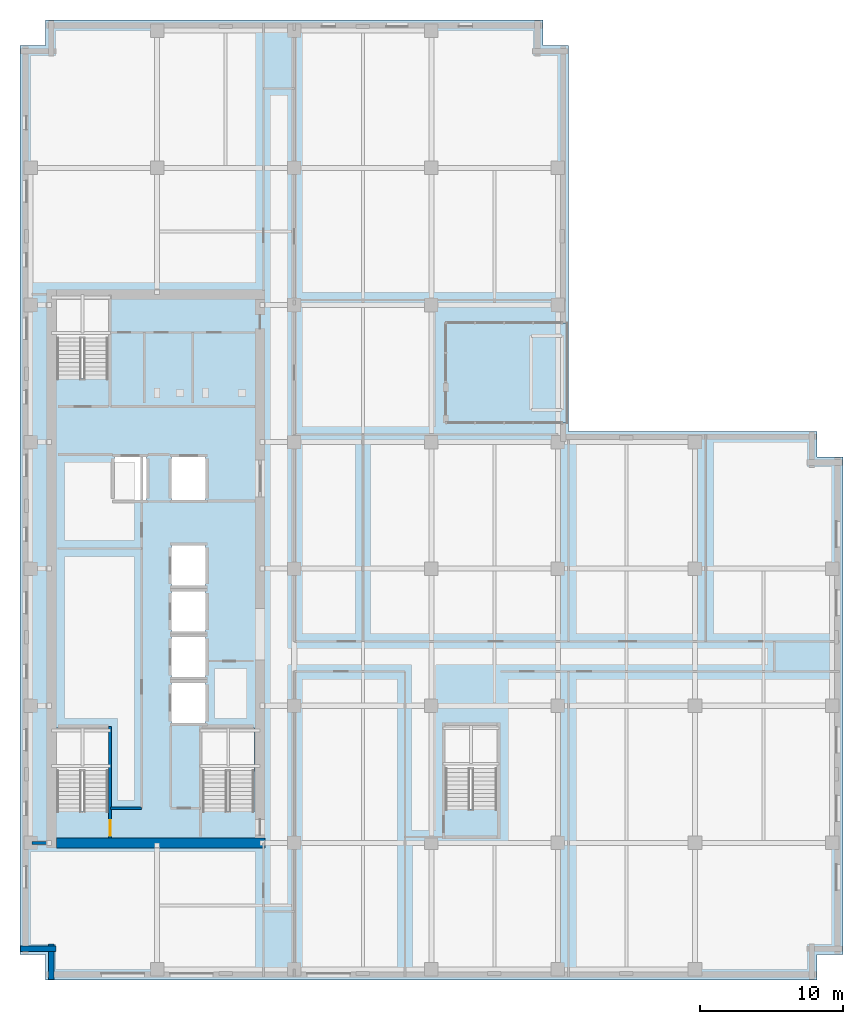
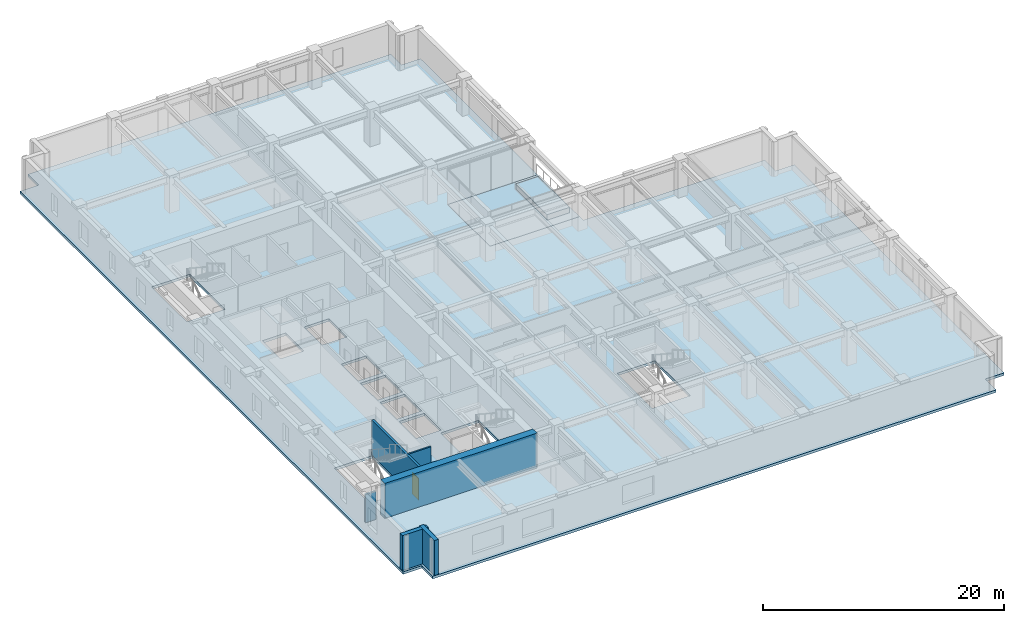
# One storey, part 3 of 16: 6 walls, 3 slabs, 1 door, 1 opening.
"""IFC4 building model written with IfcOpenShell, lengths in metres."""

from ifc_helpers import new_model, si_unit, direction, frame, frame_2d, origin, place, context, subcontext, project, spatial, polyline, rectangle, outline, extrude, material, layer, layer_set, type_object, element, fill, save


model = new_model("IFC4")

# Units and contexts
model_context = context("Model", 3, precision=1e-05, world=origin(), true_north=direction((0.0, 1.0)))
body_context = subcontext(model_context, "Body", "Model", "MODEL_VIEW")
ifc_project = project(units=[si_unit("LENGTHUNIT", "METRE"), si_unit("AREAUNIT", "SQUARE_METRE"), si_unit("VOLUMEUNIT", "CUBIC_METRE"), si_unit("PLANEANGLEUNIT", "RADIAN"), si_unit("MASSUNIT", "GRAM", prefix="KILO")], contexts=[model_context])

# Site, building, storey
site_placement = place(None, origin())
site = spatial("IfcSite", under=ifc_project, at=site_placement, CompositionType="ELEMENT")
building_placement = place(site_placement, origin())
building = spatial("IfcBuilding", under=site, at=building_placement, Name="Norrvale University Quadrangle", CompositionType="ELEMENT")
storey_placement = place(building_placement, frame((0.0, 0.0, 167.39990234375)))
storey = spatial("IfcBuildingStorey", under=building, at=storey_placement, Name="L42", CompositionType="ELEMENT", Elevation=167.39990234375)

# Slabs
ifc_material_1 = material(Name="Planted Soil Growing Medium")
ifc_layer_1 = layer(ifc_material_1, 0.570068359375, Name="Planted Soil Growing Medium")
ifc_layer_set_1 = layer_set([ifc_layer_1], Name="Planted Soil Growing Medium")
slab_type_1 = type_object("IfcSlabType", Name="Slab Planter Soil 550", PredefinedType="USERDEFINED", material=ifc_layer_set_1)
slab_1_placement = place(storey_placement, frame((0.0, 0.0, -0.02001953125)))
element("IfcSlab", 1, at=slab_1_placement, inside=storey, type_object=slab_type_1, Name="Sky Garden Planted Soil Bed L42", ObjectType="PLANTER", PredefinedType="USERDEFINED", context=body_context, shape_type="SweptSolid", body=[
    extrude(outline(polyline([(35.800048828125, 39.89990234375), (37.949951171875, 39.89990234375), (37.949951171875, 45.10009765625), (35.800048828125, 45.10009765625), (35.800048828125, 39.89990234375)])), origin(), (0.0, 0.0, 1.0), 0.570068359375),
])
ifc_material_2 = material(Name="Concrete C50/60", Category="concrete")
ifc_layer_2 = layer(ifc_material_2, 0.300048828125, Name="Concrete C50/60")
ifc_layer_set_2 = layer_set([ifc_layer_2], Name="Concrete C50/60")
slab_type_2 = type_object("IfcSlabType", Name="Slab Sky Garden 300", PredefinedType="ROOF", material=ifc_layer_set_2)
slab_2_placement = place(storey_placement, frame((0.0, 0.0, -0.2998046875)))
element("IfcSlab", 2, at=slab_2_placement, inside=storey, type_object=slab_type_2, Name="Planted Sky Garden Terrace Slab L42", PredefinedType="ROOF", context=body_context, shape_type="SweptSolid", body=[
    extrude(outline(polyline([(29.800048828125, 39.0), (38.39990234375, 39.0), (38.39990234375, 46.0), (29.800048828125, 46.0), (29.800048828125, 39.0)])), origin(), (0.0, 0.0, 1.0), 0.2998046875),
])
ifc_material_3 = material(Name="Concrete C40/50", Category="concrete")
ifc_layer_3 = layer(ifc_material_3, 0.260009765625, Name="Concrete C40/50")
ifc_layer_set_3 = layer_set([ifc_layer_3], Name="Concrete C40/50")
slab_type_3 = type_object("IfcSlabType", Name="Slab Tower Typ 260", PredefinedType="FLOOR", material=ifc_layer_set_3)
slab_3_placement = place(storey_placement, frame((0.0, 0.0, -0.260009765625)))
element("IfcSlab", 3, at=slab_3_placement, inside=storey, type_object=slab_type_3, Name="Tower L42 Floor Slab", PredefinedType="FLOOR", context=body_context, shape_type="SweptSolid", body=[
    extrude(outline(polyline([(38.39990234375, 38.39990234375), (55.800048828125, 38.39990234375), (55.800048828125, 36.60009765625), (57.60009765625, 36.60009765625), (57.60009765625, 1.800048828125), (55.800048828125, 1.800048828125), (55.800048828125, 0.0), (1.800048828125, 0.0), (1.800048828125, 1.800048828125), (0.0, 1.800048828125), (0.0, 65.39990234375), (1.800048828125, 65.39990234375), (1.800048828125, 67.199951171875), (36.60009765625, 67.199951171875), (36.60009765625, 65.39990234375), (38.39990234375, 65.39990234375), (38.39990234375, 46.0), (29.800048828125, 46.0), (29.800048828125, 39.0), (38.39990234375, 39.0), (38.39990234375, 38.39990234375)]), holes=[polyline([(2.550048828125, 11.81005859375), (6.199951171875, 11.81005859375), (6.199951171875, 17.64990234375), (2.550048828125, 17.64990234375), (2.550048828125, 11.81005859375)]), polyline([(2.550048828125, 42.110107421875), (6.199951171875, 42.110107421875), (6.199951171875, 47.949951171875), (2.550048828125, 47.949951171875), (2.550048828125, 42.110107421875)]), polyline([(12.75, 11.81005859375), (16.39990234375, 11.81005859375), (16.39990234375, 17.64990234375), (12.75, 17.64990234375), (12.75, 11.81005859375)]), polyline([(29.75, 11.9599609375), (33.39990234375, 11.9599609375), (33.39990234375, 17.800048828125), (29.75, 17.800048828125), (29.75, 11.9599609375)]), polyline([(10.60009765625, 18.0), (13.0, 18.0), (13.0, 20.800048828125), (10.60009765625, 20.800048828125), (10.60009765625, 18.0)]), polyline([(10.60009765625, 21.199951171875), (13.0, 21.199951171875), (13.0, 24.0), (10.60009765625, 24.0), (10.60009765625, 21.199951171875)]), polyline([(10.60009765625, 24.39990234375), (13.0, 24.39990234375), (13.0, 27.199951171875), (10.60009765625, 27.199951171875), (10.60009765625, 24.39990234375)]), polyline([(10.60009765625, 27.60009765625), (13.0, 27.60009765625), (13.0, 30.39990234375), (10.60009765625, 30.39990234375), (10.60009765625, 27.60009765625)]), polyline([(6.60009765625, 33.60009765625), (8.85009765625, 33.60009765625), (8.85009765625, 36.60009765625), (6.60009765625, 36.60009765625), (6.60009765625, 33.60009765625)]), polyline([(10.60009765625, 33.60009765625), (13.0, 33.60009765625), (13.0, 36.60009765625), (10.60009765625, 36.60009765625), (10.60009765625, 33.60009765625)])]), origin(), (0.0, 0.0, 1.0), 0.260009765625),
])

# Walls
ifc_material_4 = material(Name="Concrete C60/75", Category="concrete")
ifc_layer_4 = layer(ifc_material_4, 0.699951171875, Name="Concrete C60/75")
ifc_layer_set_4 = layer_set([ifc_layer_4], Name="Concrete C60/75")
wall_type_1 = type_object("IfcWallType", Name="Wall Core 700", PredefinedType="SHEAR", material=ifc_layer_set_4)
wall_1_placement = place(storey_placement, frame((2.550048828125, 9.60009765625, 0.0), z_axis=(0.0, 0.0, 1.0), x_axis=(1.0, 0.0, 0.0)))
element("IfcWall", 4, at=wall_1_placement, inside=storey, type_object=wall_type_1, Name="Tower Core Shear Wall L42-S", PredefinedType="SHEAR", context=body_context, shape_type="SweptSolid", body=[
    extrude(rectangle(XDim=14.599853515625, YDim=0.699951171875, at=frame_2d((7.2998046875, 0.0))), origin(), (0.0, 0.0, 1.0), 3.5400390625),
])
ifc_material_5 = material(Name="Fire-Rated Gypsum Stud Partition")
ifc_layer_5 = layer(ifc_material_5, 0.14990234375, Name="Fire-Rated Gypsum Stud Partition")
ifc_layer_set_5 = layer_set([ifc_layer_5], Name="Fire-Rated Gypsum Stud Partition")
wall_type_2 = type_object("IfcWallType", Name="Wall Gypsum Corridor 150", PredefinedType="PARTITIONING", material=ifc_layer_set_5)
wall_2_placement = place(storey_placement, frame((6.320068359375, 12.02001953125, 0.0), z_axis=(0.0, 0.0, 1.0), x_axis=(1.0, 0.0, 0.0)))
element("IfcWall", 5, at=wall_2_placement, inside=storey, type_object=wall_type_2, Name="Interior Partition WL-L42-REC-S", PredefinedType="PARTITIONING", context=body_context, shape_type="SweptSolid", body=[
    extrude(rectangle(XDim=2.199951171875, YDim=0.14990234375, at=frame_2d((1.10009765625, 0.0))), origin(), (0.0, 0.0, 1.0), 3.5400390625),
])
ifc_material_6 = material(Name="Concrete Blockwork 20 MPa Rated Wall", Category="masonry")
ifc_layer_6 = layer(ifc_material_6, 0.199951171875, Name="Concrete Blockwork 20 MPa Rated Wall")
ifc_layer_set_6 = layer_set([ifc_layer_6], Name="Concrete Blockwork 20 MPa Rated Wall")
wall_type_3 = type_object("IfcWallType", Name="Wall Lobby 200", PredefinedType="SOLIDWALL", material=ifc_layer_set_6)
wall_3_placement = place(storey_placement, frame((0.85009765625, 9.60009765625, 0.0), z_axis=(0.0, 0.0, 1.0), x_axis=(1.0, 0.0, 0.0)))
element("IfcWall", 6, at=wall_3_placement, inside=storey, type_object=wall_type_3, Name="Interior Partition WL-L42-CWRET-S", PredefinedType="SOLIDWALL", context=body_context, shape_type="SweptSolid", body=[
    extrude(rectangle(XDim=0.994873046875, YDim=0.199951171875, at=frame_2d((0.49755859375, 0.0))), origin(), (0.0, 0.0, 1.0), 2.84521484375),
])
ifc_material_7 = material(Name="Red Manganese Brick Masonry", Category="masonry")
ifc_layer_7 = layer(ifc_material_7, 0.39990234375, Name="Red Manganese Brick Masonry")
ifc_layer_set_7 = layer_set([ifc_layer_7], Name="Red Manganese Brick Masonry")
wall_type_4 = type_object("IfcWallType", Name="Wall Red Brick 400", PredefinedType="SOLIDWALL", material=ifc_layer_set_7)
for number, where, z_axis, x_axis, name in (
    (7, (0.0400390625, 2.179931640625, 0.0), (0.0, 0.0, 1.0), (1.0, 0.0, 0.0), "Exterior Brick Facade Wall L42-15.1"),
    (8, (2.179931640625, 2.52001953125, 0.0), (0.0, 0.0, 1.0), (0.0, -1.0, 0.0), "Exterior Brick Facade Wall L42-16.1"),
):
    element("IfcWall", number, at=place(storey_placement, frame(where, z_axis=z_axis, x_axis=x_axis)), inside=storey, type_object=wall_type_4, Name=name, PredefinedType="SOLIDWALL", context=body_context, shape_type="SweptSolid", body=[
        extrude(rectangle(XDim=2.47998046875, YDim=0.39990234375, at=frame_2d((1.239990234375, 0.0))), origin(), (0.0, 0.0, 1.0), 3.5400390625),
    ])

# Wall, opening, door
ifc_material_8 = material(Name="Concrete Blockwork 20 MPa Fire Shaft", Category="masonry")
ifc_layer_8 = layer(ifc_material_8, 0.219970703125, Name="Concrete Blockwork 20 MPa Fire Shaft")
ifc_layer_set_8 = layer_set([ifc_layer_8], Name="Concrete Blockwork 20 MPa Fire Shaft")
wall_type_5 = type_object("IfcWallType", Name="Wall Shaft 220", PredefinedType="SOLIDWALL", material=ifc_layer_set_8)
wall_4_placement = place(storey_placement, frame((6.31005859375, 9.949951171875, 0.0), z_axis=(0.0, 0.0, 1.0), x_axis=(0.0, 1.0, 0.0)))
wall_4 = element("IfcWall", 9, at=wall_4_placement, inside=storey, type_object=wall_type_5, Name="Stair ST-01 East Shaft Wall L42", PredefinedType="SOLIDWALL", context=body_context, shape_type="SweptSolid", body=[
    extrude(rectangle(XDim=7.81005859375, YDim=0.219970703125, at=frame_2d((3.905029296875, 0.0))), origin(), (0.0, 0.0, 1.0), 3.5400390625),
])
opening_placement = place(wall_4_placement, frame((0.139892578125, 0.0, 0.0)))
opening = element("IfcOpeningElement", 10, at=opening_placement, cuts=wall_4, Name="Opening D02", PredefinedType="OPENING", context=body_context, shape_type="SweptSolid", body=[
    extrude(rectangle(XDim=1.10009765625, YDim=2.199951171875, at=frame_2d((0.550048828125, 1.10009765625))), frame((0.0, 0.1220703125, 0.0), z_axis=(0.0, -1.0, 0.0), x_axis=(1.0, 0.0, 0.0)), (0.0, 0.0, 1.0), 0.243896484375),
])
ifc_material_9 = material(Name="Hollow Steel 350W Fire Door", Category="steel")
door_type = type_object("IfcDoorType", Name="Door Stair Exit 1100x2200", OperationType="NOTDEFINED", PredefinedType="DOOR", material=ifc_material_9)
door_placement = place(opening_placement, origin())
door = element("IfcDoor", 11, at=door_placement, inside=storey, type_object=door_type, Name="Door Stair Exit 1100x2200 DR-L42-ST01", OperationType="SINGLE_SWING_LEFT", OverallHeight=2.199951171875, OverallWidth=1.10009765625, PredefinedType="DOOR", context=body_context, shape_type="SweptSolid", body=[
    extrude(rectangle(XDim=1.10009765625, YDim=2.199951171875, at=frame_2d((0.550048828125, 1.10009765625))), frame((0.0, 0.02490234375, 0.0), z_axis=(0.0, -1.0, 0.0), x_axis=(1.0, 0.0, 0.0)), (0.0, 0.0, 1.0), 0.050048828125),
])
fill(opening, door)

save(model, "model.ifc")
